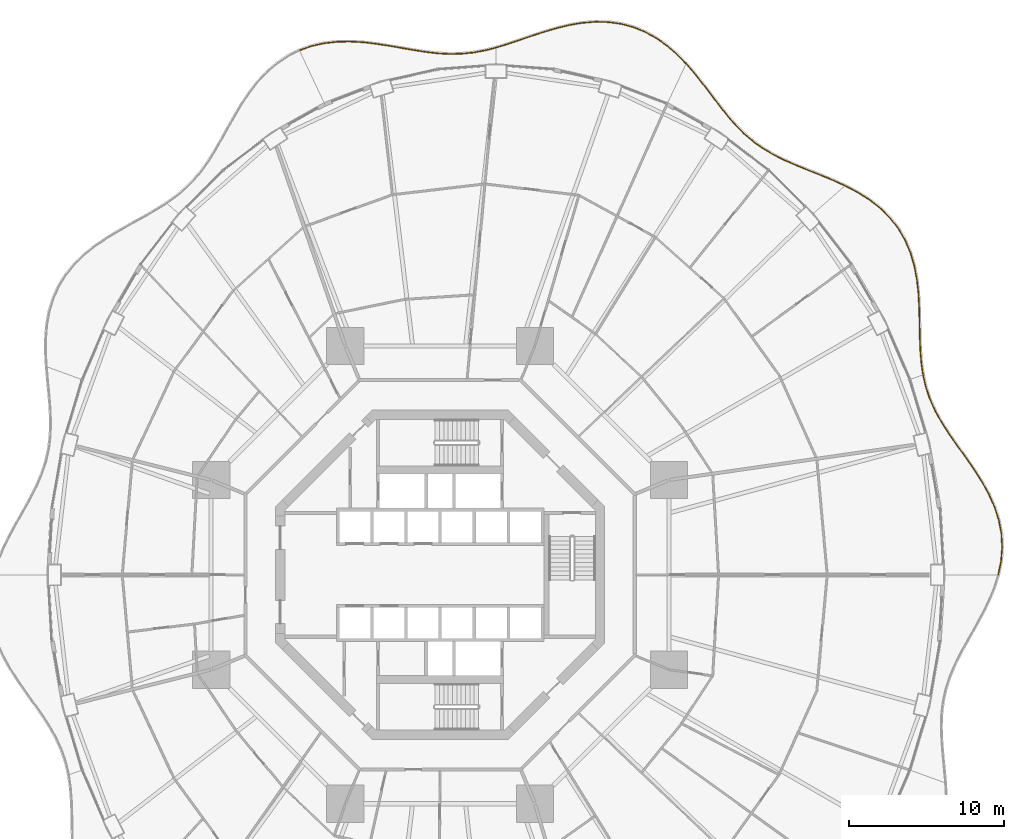
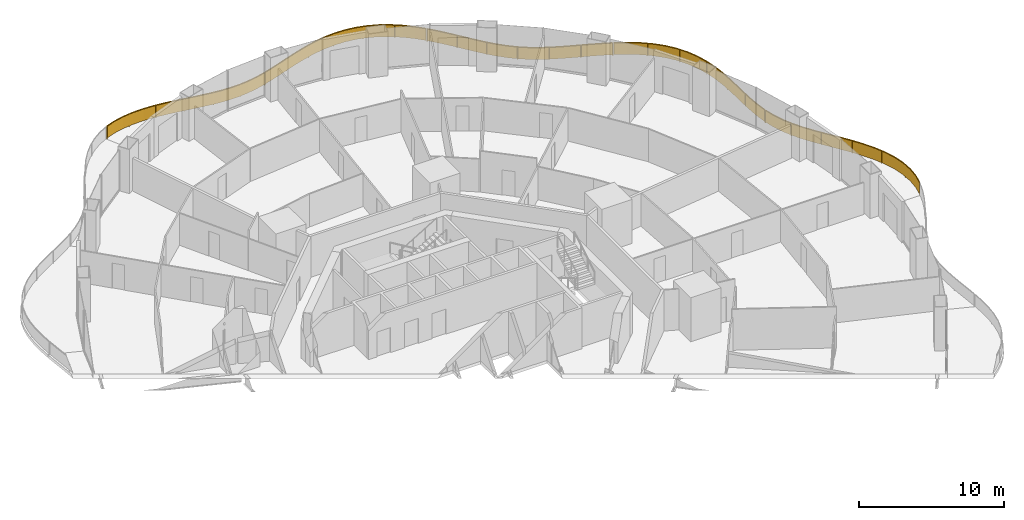
# One storey, part 22 of 22: 5 railings.
"""IFC4 building model written with IfcOpenShell, lengths in metres."""

import ifcopenshell
import ifcopenshell.guid

model = None  # the IFC model being written
_history = None  # IfcOwnerHistory: only IFC2X3 demands one
_inside = {}  # id of a spatial element -> (the spatial element, [elements in it])
_under = {}  # id of a project, library or spatial element -> (it, [spatial elements below it])
_declared = {}  # id of a project -> (the project, [libraries it declares])
_typed = {}  # id of a type object -> (the type object, [elements of that type])
_made_of = {}  # id of a material, layer set ... -> (it, [elements and type objects made of it])


def new_model(schema):
    """Start an empty IFC model of exactly this schema.

    Asked for "IFC4X3", IfcOpenShell would pick the latest addendum, in which some entities
    have other attributes; the version numbers below select the first issue.
    IFC2X3 requires an IfcOwnerHistory on every rooted entity: one is made here for all.
    """
    global model, _history
    if schema == "IFC4X3":
        model = ifcopenshell.file(schema_version=(4, 3, 0, 0))
    else:
        model = ifcopenshell.file(schema=schema)
    _inside.clear()
    _under.clear()
    _declared.clear()
    _typed.clear()
    _made_of.clear()
    _history = None
    if model.schema == "IFC2X3":
        org = make("IfcOrganization", Name="unknown")
        user = make(
            "IfcPersonAndOrganization",
            ThePerson=make("IfcPerson", FamilyName="unknown"),
            TheOrganization=org,
        )
        app = make(
            "IfcApplication",
            ApplicationDeveloper=org,
            Version="unknown",
            ApplicationFullName="unknown",
            ApplicationIdentifier="unknown",
        )
        _history = make(
            "IfcOwnerHistory",
            OwningUser=user,
            OwningApplication=app,
            ChangeAction="ADDED",
            CreationDate=0,
        )
    return model


def make(cls, **values):
    """One entity of the class cls with the attributes given. An attribute that is None is left unset."""
    return model.create_entity(
        cls, **{name: value for name, value in values.items() if value is not None}
    )


def rooted(cls, **values):
    """An entity with a GlobalId (a new one), such as an element, a storey or a relation."""
    return make(cls, GlobalId=ifcopenshell.guid.new(), OwnerHistory=_history, **values)


def si_unit(unit_type, name, prefix=None):
    """IfcSIUnit, for example si_unit("LENGTHUNIT", "METRE", prefix="MILLI")."""
    return make("IfcSIUnit", UnitType=unit_type, Prefix=prefix, Name=name)


def assignment(units):
    """IfcUnitAssignment: the units of a project."""
    return None if units is None else make("IfcUnitAssignment", Units=units)


def point(xyz):
    """IfcCartesianPoint."""
    return None if xyz is None else make("IfcCartesianPoint", Coordinates=xyz)


def direction(xyz):
    """IfcDirection."""
    return None if xyz is None else make("IfcDirection", DirectionRatios=xyz)


def frame(location, z_axis=None, x_axis=None):
    """IfcAxis2Placement3D, a coordinate frame: its origin and axes. An axis left out is left unset."""
    return make(
        "IfcAxis2Placement3D",
        Location=point(location),
        Axis=direction(z_axis),
        RefDirection=direction(x_axis),
    )


def frame_2d(location, x_axis=None):
    """IfcAxis2Placement2D, a coordinate frame in the plane: its origin and x axis."""
    return make(
        "IfcAxis2Placement2D", Location=point(location), RefDirection=direction(x_axis)
    )


def origin():
    """The frame at (0, 0, 0) with its axes left unset."""
    return frame((0.0, 0.0, 0.0))


def origin_2d():
    """The frame at (0, 0) in the plane with its x axis left unset."""
    return frame_2d((0.0, 0.0))


def place(relative_to, where):
    """IfcLocalPlacement: puts the frame where relative to a parent placement (None: the world)."""
    return make(
        "IfcLocalPlacement", PlacementRelTo=relative_to, RelativePlacement=where
    )


def context(
    kind, dimensions, precision=None, world=None, true_north=None, identifier=None
):
    """IfcGeometricRepresentationContext, for example the 3D "Model" context."""
    return make(
        "IfcGeometricRepresentationContext",
        ContextIdentifier=identifier,
        ContextType=kind,
        CoordinateSpaceDimension=dimensions,
        Precision=precision,
        WorldCoordinateSystem=world,
        TrueNorth=true_north,
    )


def subcontext(parent, identifier, kind, view, scale=None):
    """IfcGeometricRepresentationSubContext, for example "Body" below "Model"."""
    return make(
        "IfcGeometricRepresentationSubContext",
        ContextIdentifier=identifier,
        ContextType=kind,
        ParentContext=parent,
        TargetScale=scale,
        TargetView=view,
    )


def project(units=None, contexts=None):
    """IfcProject with its units and contexts."""
    return rooted(
        "IfcProject",
        Name="project",
        RepresentationContexts=contexts,
        UnitsInContext=assignment(units),
    )


def spatial(cls, under=None, at=None, **own):
    """A site, building, storey or space (cls), placed at a placement, below another one or the project."""
    s = rooted(cls, ObjectPlacement=at, **own)
    if under is not None:
        _under.setdefault(under.id(), (under, []))[1].append(s)
    return s


def polyline(points):
    """IfcPolyline through the points."""
    return make("IfcPolyline", Points=[point(p) for p in points])


def profile(cls, at=None, kind="AREA", **sizes):
    """A parametric profile (cls). Its sizes go by their IFC names, for example OverallWidth=200.0."""
    return make(cls, ProfileType=kind, Position=at, **sizes)


def rectangle(**sizes):
    """IfcRectangleProfileDef."""
    return profile("IfcRectangleProfileDef", **sizes)


def outline(outer, holes=None, kind="AREA"):
    """IfcArbitraryClosedProfileDef: a profile drawn as a closed curve; with holes, ...WithVoids."""
    if holes is None:
        return make("IfcArbitraryClosedProfileDef", ProfileType=kind, OuterCurve=outer)
    return make(
        "IfcArbitraryProfileDefWithVoids",
        ProfileType=kind,
        OuterCurve=outer,
        InnerCurves=holes,
    )


def extrude(swept, where, along, depth):
    """IfcExtrudedAreaSolid: the profile swept, set in the frame where, extruded along a direction by depth."""
    return make(
        "IfcExtrudedAreaSolid",
        SweptArea=swept,
        Position=where,
        ExtrudedDirection=direction(along),
        Depth=depth,
    )


def shape(context_of_items, identifier, shape_type, items):
    """IfcShapeRepresentation: the items that make up one representation, for example the "Body"."""
    return make(
        "IfcShapeRepresentation",
        ContextOfItems=context_of_items,
        RepresentationIdentifier=identifier,
        RepresentationType=shape_type,
        Items=items,
    )


def material(Name=None, Category=None):
    """IfcMaterial."""
    return make("IfcMaterial", Name=Name, Category=Category)


def made_of(thing, what):
    """Note that an element or type object is made of a material, layer set ...; save() writes the relation."""
    if what is not None:
        _made_of.setdefault(what.id(), (what, []))[1].append(thing)
    return thing


def type_object(cls, material=None, **own):
    """A type object (cls), such as IfcWallType, which elements share."""
    return made_of(rooted(cls, **own), material)


def element(
    cls,
    number,
    at=None,
    inside=None,
    cuts=None,
    type_object=None,
    material=None,
    context=None,
    identifier="Body",
    shape_type=None,
    held_by="IfcProductDefinitionShape",
    body=None,
    shapes=None,
    **own,
):
    """One element of the class cls, such as IfcWall. Its Tag is "e" and its number.

    at: its placement. inside: the storey or other place that contains it. cuts: it is an
    opening in that element (IfcRelVoidsElement). A single representation is given by context,
    identifier, shape_type and body (its items); several are given by shapes. held_by: the class
    of the entity that holds the representations. save() writes the other relations.
    """
    e = rooted(cls, Tag="e%d" % number, ObjectPlacement=at, **own)
    if body is not None:
        shapes = [shape(context, identifier, shape_type, body)]
    if shapes is not None:
        e.Representation = make(held_by, Representations=shapes)
    if inside is not None:
        _inside.setdefault(inside.id(), (inside, []))[1].append(e)
    if cuts is not None:
        rooted(
            "IfcRelVoidsElement", RelatingBuildingElement=cuts, RelatedOpeningElement=e
        )
    if type_object is not None:
        _typed.setdefault(type_object.id(), (type_object, []))[1].append(e)
    return made_of(e, material)


def aggregate(whole, parts):
    """IfcRelAggregates: a whole, such as a stair, and the parts it consists of."""
    return rooted("IfcRelAggregates", RelatingObject=whole, RelatedObjects=parts)


def save(model, path):
    """Write the relations noted so far, then the file.

    IfcRelAggregates (storeys below a building ...), IfcRelContainedInSpatialStructure (elements
    in a storey), IfcRelDefinesByType, IfcRelAssociatesMaterial and IfcRelDeclares: one each for
    every whole, place, type object, material and project.
    """
    for whole, parts in _under.values():
        aggregate(whole, parts)
    for where, things in _inside.values():
        rooted(
            "IfcRelContainedInSpatialStructure",
            RelatedElements=things,
            RelatingStructure=where,
        )
    for kind, things in _typed.values():
        rooted("IfcRelDefinesByType", RelatedObjects=things, RelatingType=kind)
    for what, things in _made_of.values():
        rooted("IfcRelAssociatesMaterial", RelatedObjects=things, RelatingMaterial=what)
    for by, libraries in _declared.values():
        rooted("IfcRelDeclares", RelatingContext=by, RelatedDefinitions=libraries)
    model.write(path)


model = new_model("IFC4")

# Units and contexts
model_context = context("Model", 3, precision=1e-05, world=origin(), true_north=direction((0.0, 1.0)))
body_context = subcontext(model_context, "Body", "Model", "MODEL_VIEW")
ifc_project = project(units=[si_unit("LENGTHUNIT", "METRE"), si_unit("AREAUNIT", "SQUARE_METRE"), si_unit("VOLUMEUNIT", "CUBIC_METRE"), si_unit("PLANEANGLEUNIT", "RADIAN"), si_unit("MASSUNIT", "GRAM", prefix="KILO")], contexts=[model_context])

# Site, building, storey
site_placement = place(None, origin())
site = spatial("IfcSite", under=ifc_project, at=site_placement, CompositionType="ELEMENT")
building_placement = place(site_placement, origin())
building = spatial("IfcBuilding", under=site, at=building_placement, Name="Nagisa Residences", CompositionType="ELEMENT")
storey_placement = place(building_placement, frame((0.0, 0.0, 52.89990234375)))
storey = spatial("IfcBuildingStorey", under=building, at=storey_placement, Name="L12", CompositionType="ELEMENT", Elevation=52.89990234375)

# Railings
ifc_material = material(Name="Stainless steel 316", Category="steel")
railing_type = type_object("IfcRailingType", Name="BALCONY GUARD 1100", PredefinedType="BALUSTRADE", material=ifc_material)
railing_1_placement = place(storey_placement, frame((36.0361328125, 0.037841796875, 0.0)))
element("IfcRailing", 1, at=railing_1_placement, inside=storey, type_object=railing_type, Name="guard:L12:bal00-0", PredefinedType="BALUSTRADE", context=body_context, shape_type="SweptSolid", body=[
    extrude(outline(polyline([(0.149169921875, 0.84423828125), (-0.0244140625, 0.005126953125), (0.0244140625, -0.005126953125), (0.198974609375, 0.83740234375), (0.26904296875, 1.729736328125), (0.22021484375, 2.619384765625), (0.052490234375, 3.4990234375), (-0.226318359375, 4.363037109375), (-0.600830078125, 5.19189453125), (-1.054931640625, 6.0107421875), (-1.56396484375, 6.80517578125), (-2.101806640625, 7.577392578125), (-2.643310546875, 8.331787109375), (-3.1591796875, 9.060791015625), (-3.634521484375, 9.799560546875), (-4.048828125, 10.54296875), (-4.390869140625, 11.30029296875), (-4.654541015625, 12.078857421875), (-4.8330078125, 12.845703125), (-4.8818359375, 12.83447265625), (-4.702880859375, 12.065185546875), (-4.437255859375, 11.28173828125), (-4.09375, 10.5205078125), (-3.677490234375, 9.773681640625), (-3.20068359375, 9.032958984375), (-2.683837890625, 8.302978515625), (-2.142822265625, 7.548583984375), (-1.60546875, 6.77734375), (-1.097900390625, 5.98486328125), (-0.645751953125, 5.16943359375), (-0.273193359375, 4.344970703125), (0.004150390625, 3.48681640625), (0.17041015625, 2.613525390625), (0.21875, 1.730224609375), (0.149169921875, 0.84423828125)])), frame((0.0, 0.0, 1.050048828125)), (0.0, 0.0, 1.0), 0.050048828125),
    extrude(outline(polyline([(0.167236328125, 0.841796875), (-0.0068359375, 0.00146484375), (0.0068359375, -0.00146484375), (0.180908203125, 0.83984375), (0.2509765625, 1.72998046875), (0.202392578125, 2.6171875), (0.03515625, 3.49462890625), (-0.2431640625, 4.3564453125), (-0.616943359375, 5.183837890625), (-1.0703125, 6.00146484375), (-1.578857421875, 6.795166015625), (-2.11669921875, 7.567138671875), (-2.657958984375, 8.321533203125), (-3.174072265625, 9.05078125), (-3.64990234375, 9.790283203125), (-4.06494140625, 10.534912109375), (-4.407470703125, 11.293701171875), (-4.671875, 12.073974609375), (-4.8505859375, 12.841552734375), (-4.8642578125, 12.838623046875), (-4.685546875, 12.070068359375), (-4.420654296875, 11.288330078125), (-4.07763671875, 10.528564453125), (-3.662109375, 9.782958984375), (-3.185791015625, 9.04296875), (-2.669189453125, 8.313232421875), (-2.1279296875, 7.558837890625), (-1.590576171875, 6.787353515625), (-1.08251953125, 5.994140625), (-0.629638671875, 5.177490234375), (-0.25634765625, 4.3515625), (0.021484375, 3.4912109375), (0.188232421875, 2.61572265625), (0.23681640625, 1.72998046875), (0.167236328125, 0.841796875)])), frame((0.0, 0.0, 0.06005859375)), (0.0, 0.0, 1.0), 0.989990234375),
    extrude(rectangle(XDim=0.0400390625, YDim=0.0400390625, at=origin_2d()), origin(), (0.0, 0.0, 1.0), 1.050048828125),
    extrude(rectangle(XDim=0.0400390625, YDim=0.0400390625, at=origin_2d()), frame((0.21044921875, 2.338623046875, 0.0)), (0.0, 0.0, 1.0), 1.050048828125),
    extrude(rectangle(XDim=0.0400390625, YDim=0.0400390625, at=origin_2d()), frame((-0.366943359375, 4.613525390625, 0.0)), (0.0, 0.0, 1.0), 1.050048828125),
    extrude(rectangle(XDim=0.0400390625, YDim=0.0400390625, at=origin_2d()), frame((-1.509765625, 6.67431640625, 0.0)), (0.0, 0.0, 1.0), 1.050048828125),
    extrude(rectangle(XDim=0.0400390625, YDim=0.0400390625, at=origin_2d()), frame((-2.8671875, 8.60498046875, 0.0)), (0.0, 0.0, 1.0), 1.050048828125),
    extrude(rectangle(XDim=0.0400390625, YDim=0.0400390625, at=origin_2d()), frame((-4.106689453125, 10.610107421875, 0.0)), (0.0, 0.0, 1.0), 1.050048828125),
    extrude(rectangle(XDim=0.0400390625, YDim=0.0400390625, at=origin_2d()), frame((-4.857421875, 12.840087890625, 0.0)), (0.0, 0.0, 1.0), 1.050048828125),
])
railing_2_placement = place(storey_placement, frame((31.167236328125, 12.947021484375, 0.0)))
element("IfcRailing", 2, at=railing_2_placement, inside=storey, type_object=railing_type, Name="guard:L12:bal01-0", PredefinedType="BALUSTRADE", context=body_context, shape_type="SweptSolid", body=[
    extrude(outline(polyline([(-0.13525390625, 0.769775390625), (-0.024658203125, -0.00341796875), (0.024658203125, 0.00341796875), (-0.08544921875, 0.775146484375), (-0.15087890625, 1.618408203125), (-0.181396484375, 2.49072265625), (-0.197021484375, 3.386474609375), (-0.2197265625, 4.29833984375), (-0.2646484375, 5.20263671875), (-0.3662109375, 6.113525390625), (-0.535888671875, 7.004638671875), (-0.7880859375, 7.862548828125), (-1.133056640625, 8.6748046875), (-1.56689453125, 9.4189453125), (-2.104248046875, 10.110107421875), (-2.731689453125, 10.73291015625), (-3.437255859375, 11.286376953125), (-4.20654296875, 11.773681640625), (-4.9814453125, 12.179443359375), (-5.0048828125, 12.135009765625), (-4.2314453125, 11.730224609375), (-3.466064453125, 11.245361328125), (-2.764892578125, 10.6953125), (-2.141845703125, 10.076904296875), (-1.6083984375, 9.390625), (-1.177978515625, 8.65234375), (-0.83544921875, 7.845458984375), (-0.584716796875, 6.992919921875), (-0.41552734375, 6.106201171875), (-0.314453125, 5.19873046875), (-0.26953125, 4.29638671875), (-0.246826171875, 3.385498046875), (-0.231201171875, 2.4892578125), (-0.20068359375, 1.615478515625), (-0.13525390625, 0.769775390625)])), frame((0.0, 0.0, 1.050048828125)), (0.0, 0.0, 1.0), 0.050048828125),
    extrude(outline(polyline([(-0.117431640625, 0.771728515625), (-0.0068359375, -0.0009765625), (0.0068359375, 0.0009765625), (-0.103271484375, 0.773193359375), (-0.168701171875, 1.617431640625), (-0.19921875, 2.490234375), (-0.21484375, 3.38623046875), (-0.237548828125, 4.297607421875), (-0.282470703125, 5.201171875), (-0.384033203125, 6.11083984375), (-0.553466796875, 7.00048828125), (-0.80517578125, 7.8564453125), (-1.149169921875, 8.666748046875), (-1.581787109375, 9.40869140625), (-2.11767578125, 10.09814453125), (-2.74365234375, 10.719482421875), (-3.447509765625, 11.271484375), (-4.215576171875, 11.758056640625), (-4.989990234375, 12.163330078125), (-4.996337890625, 12.151123046875), (-4.222412109375, 11.745849609375), (-3.455810546875, 11.26025390625), (-2.7529296875, 10.708740234375), (-2.12841796875, 10.0888671875), (-1.593505859375, 9.40087890625), (-1.161865234375, 8.660400390625), (-0.818359375, 7.8515625), (-0.567138671875, 6.9970703125), (-0.397705078125, 6.10888671875), (-0.296630859375, 5.2001953125), (-0.251708984375, 4.297119140625), (-0.22900390625, 3.3857421875), (-0.21337890625, 2.48974609375), (-0.182861328125, 1.616455078125), (-0.117431640625, 0.771728515625)])), frame((0.0, 0.0, 0.06005859375)), (0.0, 0.0, 1.0), 0.989990234375),
    extrude(rectangle(XDim=0.0400390625, YDim=0.0400390625, at=origin_2d()), origin(), (0.0, 0.0, 1.0), 1.050048828125),
    extrude(rectangle(XDim=0.0400390625, YDim=0.0400390625, at=origin_2d()), frame((-0.200927734375, 2.337646484375, 0.0)), (0.0, 0.0, 1.0), 1.050048828125),
    extrude(rectangle(XDim=0.0400390625, YDim=0.0400390625, at=origin_2d()), frame((-0.263916015625, 4.685302734375, 0.0)), (0.0, 0.0, 1.0), 1.050048828125),
    extrude(rectangle(XDim=0.0400390625, YDim=0.0400390625, at=origin_2d()), frame((-0.56396484375, 7.010986328125, 0.0)), (0.0, 0.0, 1.0), 1.050048828125),
    extrude(rectangle(XDim=0.0400390625, YDim=0.0400390625, at=origin_2d()), frame((-1.452880859375, 9.173583984375, 0.0)), (0.0, 0.0, 1.0), 1.050048828125),
    extrude(rectangle(XDim=0.0400390625, YDim=0.0400390625, at=origin_2d()), frame((-3.006103515625, 10.916259765625, 0.0)), (0.0, 0.0, 1.0), 1.050048828125),
    extrude(rectangle(XDim=0.0400390625, YDim=0.0400390625, at=origin_2d()), frame((-4.9931640625, 12.1572265625, 0.0)), (0.0, 0.0, 1.0), 1.050048828125),
])
railing_3_placement = place(storey_placement, frame((26.104248046875, 25.136962890625, 0.0)))
element("IfcRailing", 3, at=railing_3_placement, inside=storey, type_object=railing_type, Name="guard:L12:bal02-0", PredefinedType="BALUSTRADE", context=body_context, shape_type="SweptSolid", body=[
    extrude(outline(polyline([(-0.770263671875, 0.32080078125), (-0.01025390625, -0.022705078125), (0.01025390625, 0.022705078125), (-0.750244140625, 0.36669921875), (-1.56005859375, 0.701904296875), (-2.3623046875, 1.020751953125), (-3.14306640625, 1.338134765625), (-3.8916015625, 1.669189453125), (-4.588623046875, 2.0166015625), (-5.254150390625, 2.41357421875), (-5.87646484375, 2.85791015625), (-6.458984375, 3.35498046875), (-7.00927734375, 3.90625), (-7.522216796875, 4.4990234375), (-8.037109375, 5.144287109375), (-8.552001953125, 5.8212890625), (-9.079345703125, 6.51513671875), (-9.6298828125, 7.20751953125), (-10.180419921875, 7.845703125), (-10.218505859375, 7.81298828125), (-9.66845703125, 7.17578125), (-9.118896484375, 6.484375), (-8.592041015625, 5.791015625), (-8.07666015625, 5.113525390625), (-7.560791015625, 4.466796875), (-7.0458984375, 3.8720703125), (-6.4931640625, 3.318359375), (-5.9072265625, 2.818359375), (-5.281494140625, 2.37158203125), (-4.612548828125, 1.97265625), (-3.9130859375, 1.623779296875), (-3.16259765625, 1.292236328125), (-2.380859375, 0.974365234375), (-1.5791015625, 0.655517578125), (-0.770263671875, 0.32080078125)])), frame((0.0, 0.0, 1.050048828125)), (0.0, 0.0, 1.0), 0.050048828125),
    extrude(outline(polyline([(-0.762939453125, 0.33740234375), (-0.0029296875, -0.00634765625), (0.0029296875, 0.00634765625), (-0.757568359375, 0.35009765625), (-1.56689453125, 0.685302734375), (-2.368896484375, 1.004150390625), (-3.150146484375, 1.321533203125), (-3.8994140625, 1.65283203125), (-4.59716796875, 2.000732421875), (-5.263916015625, 2.3984375), (-5.887451171875, 2.84375), (-6.471435546875, 3.341796875), (-7.0224609375, 3.89404296875), (-7.5361328125, 4.4873046875), (-8.05126953125, 5.13330078125), (-8.56640625, 5.810302734375), (-9.093505859375, 6.504150390625), (-9.643798828125, 7.196044921875), (-10.194091796875, 7.833984375), (-10.204833984375, 7.82470703125), (-9.654541015625, 7.187255859375), (-9.104736328125, 6.495361328125), (-8.57763671875, 5.802001953125), (-8.0625, 5.12451171875), (-7.546875, 4.478515625), (-7.03271484375, 3.88427734375), (-6.480712890625, 3.33154296875), (-5.896240234375, 2.83251953125), (-5.271728515625, 2.38671875), (-4.60400390625, 1.988525390625), (-3.9052734375, 1.64013671875), (-3.155517578125, 1.308837890625), (-2.374267578125, 0.990966796875), (-1.572265625, 0.672119140625), (-0.762939453125, 0.33740234375)])), frame((0.0, 0.0, 0.06005859375)), (0.0, 0.0, 1.0), 0.989990234375),
    extrude(rectangle(XDim=0.0400390625, YDim=0.0400390625, at=origin_2d()), origin(), (0.0, 0.0, 1.0), 1.050048828125),
    extrude(rectangle(XDim=0.0400390625, YDim=0.0400390625, at=origin_2d()), frame((-2.019775390625, 0.857666015625, 0.0)), (0.0, 0.0, 1.0), 1.050048828125),
    extrude(rectangle(XDim=0.0400390625, YDim=0.0400390625, at=origin_2d()), frame((-4.03955078125, 1.71484375, 0.0)), (0.0, 0.0, 1.0), 1.050048828125),
    extrude(rectangle(XDim=0.0400390625, YDim=0.0400390625, at=origin_2d()), frame((-5.910400390625, 2.85400390625, 0.0)), (0.0, 0.0, 1.0), 1.050048828125),
    extrude(rectangle(XDim=0.0400390625, YDim=0.0400390625, at=origin_2d()), frame((-7.46630859375, 4.39599609375, 0.0)), (0.0, 0.0, 1.0), 1.050048828125),
    extrude(rectangle(XDim=0.0400390625, YDim=0.0400390625, at=origin_2d()), frame((-8.815673828125, 6.126708984375, 0.0)), (0.0, 0.0, 1.0), 1.050048828125),
    extrude(rectangle(XDim=0.0400390625, YDim=0.0400390625, at=origin_2d()), frame((-10.199462890625, 7.829345703125, 0.0)), (0.0, 0.0, 1.0), 1.050048828125),
])
railing_4_placement = place(storey_placement, frame((15.853271484375, 33.023681640625, 0.0)))
element("IfcRailing", 4, at=railing_4_placement, inside=storey, type_object=railing_type, Name="guard:L12:bal03-0", PredefinedType="BALUSTRADE", context=body_context, shape_type="SweptSolid", body=[
    extrude(outline(polyline([(-0.581787109375, 0.559326171875), (-0.017822265625, -0.017578125), (0.017822265625, 0.017578125), (-0.547607421875, 0.595947265625), (-1.189697265625, 1.151611328125), (-1.874267578125, 1.6376953125), (-2.60107421875, 2.04150390625), (-3.365478515625, 2.353271484375), (-4.1455078125, 2.56298828125), (-4.96728515625, 2.67919921875), (-5.8056640625, 2.701416015625), (-6.65185546875, 2.63671875), (-7.498046875, 2.4970703125), (-8.319091796875, 2.295166015625), (-9.144287109375, 2.053466796875), (-9.953125, 1.787841796875), (-10.74267578125, 1.517578125), (-11.513671875, 1.260498046875), (-12.226318359375, 1.0439453125), (-12.211669921875, 0.99609375), (-11.49853515625, 1.212646484375), (-10.7265625, 1.47021484375), (-9.93701171875, 1.740478515625), (-9.129638671875, 2.005615234375), (-8.305908203125, 2.246826171875), (-7.48779296875, 2.4482421875), (-6.64599609375, 2.5869140625), (-5.80419921875, 2.651123046875), (-4.9716796875, 2.62939453125), (-4.15576171875, 2.513671875), (-3.381591796875, 2.305908203125), (-2.62255859375, 1.99609375), (-1.901123046875, 1.59521484375), (-1.220458984375, 1.112060546875), (-0.581787109375, 0.559326171875)])), frame((0.0, 0.0, 1.050048828125)), (0.0, 0.0, 1.0), 0.050048828125),
    extrude(outline(polyline([(-0.569580078125, 0.572509765625), (-0.005126953125, -0.0048828125), (0.005126953125, 0.0048828125), (-0.559814453125, 0.582763671875), (-1.20068359375, 1.137451171875), (-1.884033203125, 1.622314453125), (-2.60888671875, 2.025146484375), (-3.371337890625, 2.336181640625), (-4.149169921875, 2.545166015625), (-4.968994140625, 2.661376953125), (-5.80517578125, 2.683349609375), (-6.649658203125, 2.61865234375), (-7.494384765625, 2.4794921875), (-8.314208984375, 2.27783203125), (-9.13916015625, 2.0361328125), (-9.947265625, 1.770751953125), (-10.73681640625, 1.50048828125), (-11.50830078125, 1.2431640625), (-12.220947265625, 1.026611328125), (-12.217041015625, 1.013427734375), (-11.50390625, 1.22998046875), (-10.732421875, 1.4873046875), (-9.94287109375, 1.757568359375), (-9.134765625, 2.02294921875), (-8.310791015625, 2.26416015625), (-7.491455078125, 2.4658203125), (-6.648193359375, 2.60498046875), (-5.8046875, 2.669189453125), (-4.969970703125, 2.647216796875), (-4.152099609375, 2.531494140625), (-3.375732421875, 2.322998046875), (-2.61474609375, 2.012451171875), (-1.891357421875, 1.610595703125), (-1.20947265625, 1.126220703125), (-0.569580078125, 0.572509765625)])), frame((0.0, 0.0, 0.06005859375)), (0.0, 0.0, 1.0), 0.989990234375),
    extrude(rectangle(XDim=0.0400390625, YDim=0.0400390625, at=origin_2d()), origin(), (0.0, 0.0, 1.0), 1.050048828125),
    extrude(rectangle(XDim=0.0400390625, YDim=0.0400390625, at=origin_2d()), frame((-1.65771484375, 1.453125, 0.0)), (0.0, 0.0, 1.0), 1.050048828125),
    extrude(rectangle(XDim=0.0400390625, YDim=0.0400390625, at=origin_2d()), frame((-3.640625, 2.4013671875, 0.0)), (0.0, 0.0, 1.0), 1.050048828125),
    extrude(rectangle(XDim=0.0400390625, YDim=0.0400390625, at=origin_2d()), frame((-5.823974609375, 2.6748046875, 0.0)), (0.0, 0.0, 1.0), 1.050048828125),
    extrude(rectangle(XDim=0.0400390625, YDim=0.0400390625, at=origin_2d()), frame((-8.004638671875, 2.3466796875, 0.0)), (0.0, 0.0, 1.0), 1.050048828125),
    extrude(rectangle(XDim=0.0400390625, YDim=0.0400390625, at=origin_2d()), frame((-10.1181640625, 1.704833984375, 0.0)), (0.0, 0.0, 1.0), 1.050048828125),
    extrude(rectangle(XDim=0.0400390625, YDim=0.0400390625, at=origin_2d()), frame((-12.218994140625, 1.02001953125, 0.0)), (0.0, 0.0, 1.0), 1.050048828125),
])
railing_5_placement = place(storey_placement, frame((3.565185546875, 34.0224609375, 0.0)))
element("IfcRailing", 5, at=railing_5_placement, inside=storey, type_object=railing_type, Name="guard:L12:bal04-0", PredefinedType="BALUSTRADE", context=body_context, shape_type="SweptSolid", body=[
    extrude(outline(polyline([(-0.6953125, -0.199951171875), (0.006103515625, -0.024169921875), (-0.006103515625, 0.024169921875), (-0.7060546875, -0.151123046875), (-1.442138671875, -0.28369140625), (-2.177734375, -0.359130859375), (-2.919677734375, -0.3759765625), (-3.6728515625, -0.33837890625), (-4.4248046875, -0.2509765625), (-5.21435546875, -0.13134765625), (-6.023681640625, 0.009033203125), (-6.8525390625, 0.15283203125), (-7.697265625, 0.2822265625), (-8.535400390625, 0.38330078125), (-9.39306640625, 0.4296875), (-10.244873046875, 0.41015625), (-11.080810546875, 0.31298828125), (-11.89208984375, 0.129150390625), (-12.622314453125, -0.12939453125), (-12.605712890625, -0.1767578125), (-11.8779296875, 0.080810546875), (-11.072509765625, 0.263671875), (-10.241455078125, 0.3603515625), (-9.39404296875, 0.37939453125), (-8.539794921875, 0.33349609375), (-7.7041015625, 0.232421875), (-6.86083984375, 0.103515625), (-6.032470703125, -0.040283203125), (-5.22216796875, -0.1806640625), (-4.431640625, -0.30078125), (-3.6767578125, -0.38818359375), (-2.920166015625, -0.42626953125), (-2.1748046875, -0.408935546875), (-1.435302734375, -0.33349609375), (-0.6953125, -0.199951171875)])), frame((0.0, 0.0, 1.050048828125)), (0.0, 0.0, 1.0), 0.050048828125),
    extrude(outline(polyline([(-0.69921875, -0.182373046875), (0.001708984375, -0.0068359375), (-0.001708984375, 0.0068359375), (-0.7021484375, -0.168701171875), (-1.439697265625, -0.3017578125), (-2.1767578125, -0.376953125), (-2.919921875, -0.39404296875), (-3.67431640625, -0.356201171875), (-4.42724609375, -0.26904296875), (-5.217041015625, -0.149169921875), (-6.02685546875, -0.0087890625), (-6.85546875, 0.135009765625), (-7.69970703125, 0.26416015625), (-8.537109375, 0.365478515625), (-9.3935546875, 0.41162109375), (-10.24365234375, 0.392333984375), (-11.077880859375, 0.295166015625), (-11.886962890625, 0.11181640625), (-12.616455078125, -0.146484375), (-12.611572265625, -0.15966796875), (-11.883056640625, 0.09814453125), (-11.075439453125, 0.281494140625), (-10.24267578125, 0.378173828125), (-9.3935546875, 0.3974609375), (-8.5380859375, 0.351318359375), (-7.70166015625, 0.25048828125), (-6.85791015625, 0.121337890625), (-6.029296875, -0.0224609375), (-5.219482421875, -0.162841796875), (-4.42919921875, -0.28271484375), (-3.67529296875, -0.370361328125), (-2.919921875, -0.408203125), (-2.17578125, -0.39111328125), (-1.437744140625, -0.3154296875), (-0.69921875, -0.182373046875)])), frame((0.0, 0.0, 0.06005859375)), (0.0, 0.0, 1.0), 0.989990234375),
    extrude(rectangle(XDim=0.0400390625, YDim=0.0400390625, at=origin_2d()), origin(), (0.0, 0.0, 1.0), 1.050048828125),
    extrude(rectangle(XDim=0.0400390625, YDim=0.0400390625, at=origin_2d()), frame((-2.0927734375, -0.37548828125, 0.0)), (0.0, 0.0, 1.0), 1.050048828125),
    extrude(rectangle(XDim=0.0400390625, YDim=0.0400390625, at=origin_2d()), frame((-4.217529296875, -0.30029296875, 0.0)), (0.0, 0.0, 1.0), 1.050048828125),
    extrude(rectangle(XDim=0.0400390625, YDim=0.0400390625, at=origin_2d()), frame((-6.3203125, 0.03515625, 0.0)), (0.0, 0.0, 1.0), 1.050048828125),
    extrude(rectangle(XDim=0.0400390625, YDim=0.0400390625, at=origin_2d()), frame((-8.427001953125, 0.344970703125, 0.0)), (0.0, 0.0, 1.0), 1.050048828125),
    extrude(rectangle(XDim=0.0400390625, YDim=0.0400390625, at=origin_2d()), frame((-10.552490234375, 0.349365234375, 0.0)), (0.0, 0.0, 1.0), 1.050048828125),
    extrude(rectangle(XDim=0.0400390625, YDim=0.0400390625, at=origin_2d()), frame((-12.614013671875, -0.153076171875, 0.0)), (0.0, 0.0, 1.0), 1.050048828125),
])

save(model, "model.ifc")
